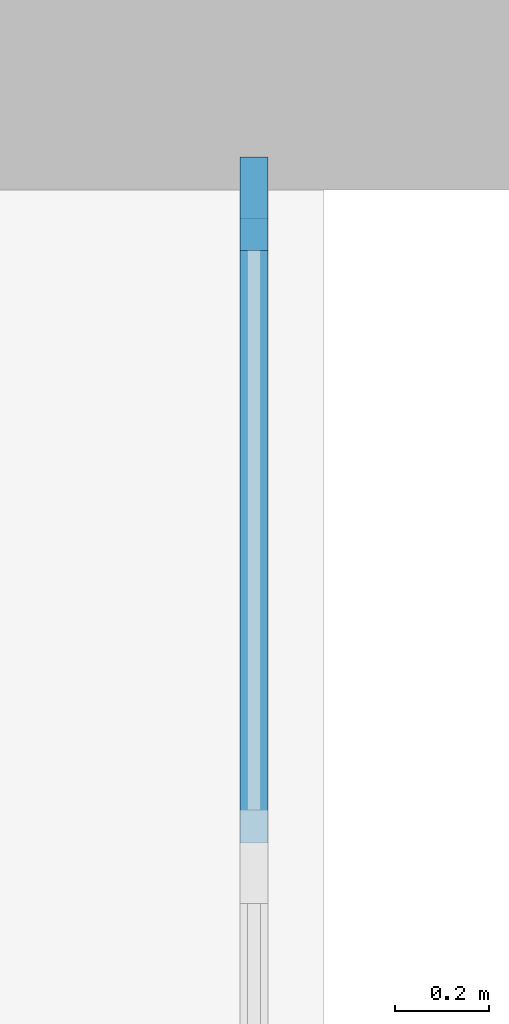
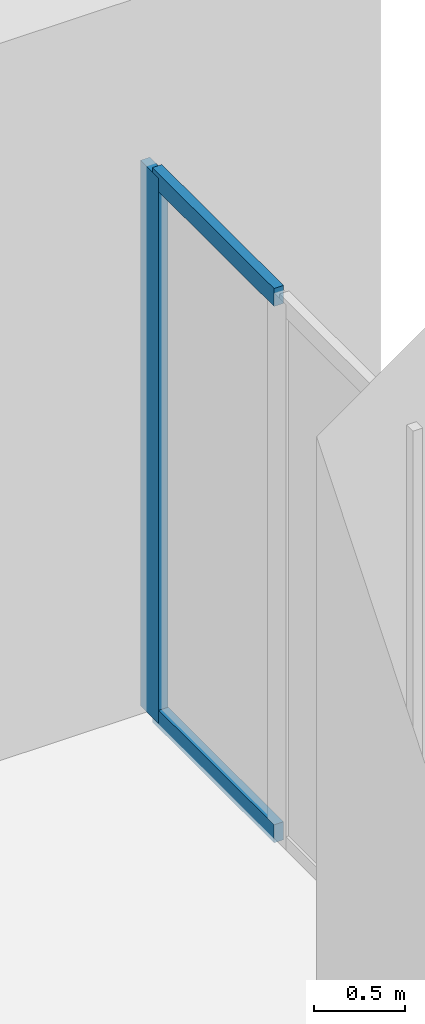
# One storey, part 7 of 31: 3 members, 1 element without a shape of its own.
"""IFC4 building model written with IfcOpenShell, lengths in metres."""

from ifc_helpers import new_model, si_unit, direction, frame, origin, origin_2d, place, context, subcontext, project, spatial, rectangle, extrude, material, material_profile, profile_set, type_object, element, aggregate, save


model = new_model("IFC4")

# Units and contexts
model_context = context("Model", 3, precision=1e-05, world=origin(), true_north=direction((0.0, 1.0)))
body_context = subcontext(model_context, "Body", "Model", "MODEL_VIEW")
ifc_project = project(units=[si_unit("LENGTHUNIT", "METRE"), si_unit("AREAUNIT", "SQUARE_METRE"), si_unit("VOLUMEUNIT", "CUBIC_METRE"), si_unit("PLANEANGLEUNIT", "RADIAN"), si_unit("MASSUNIT", "GRAM", prefix="KILO")], contexts=[model_context])

# Site, building, storey
site_placement = place(None, origin())
site = spatial("IfcSite", under=ifc_project, at=site_placement, CompositionType="ELEMENT")
building_placement = place(site_placement, origin())
building = spatial("IfcBuilding", under=site, at=building_placement, Name="Hunhe Ridgeline Campus", CompositionType="ELEMENT")
storey_placement = place(building_placement, frame((0.0, 0.0, 16.800048828125)))
storey = spatial("IfcBuildingStorey", under=building, at=storey_placement, Name="L03", CompositionType="ELEMENT", Elevation=16.800048828125)

# Curtain wall, members
ifc_material_1 = material(Name="Aluminium and glass", Category="aluminium")
curtain_wall_type = type_object("IfcCurtainWallType", Name="Podium curtain wall CW-2", PredefinedType="NOTDEFINED", material=ifc_material_1)
curtain_wall_placement = place(storey_placement, origin())
curtain_wall = element("IfcCurtainWall", 1, at=curtain_wall_placement, inside=storey, type_object=curtain_wall_type, Name="L03 podium curtain wall 8", PredefinedType="NOTDEFINED")
ifc_material_2 = material(Name="Aluminium", Category="aluminium")
ifc_material_profile_1 = material_profile(ifc_material_2, rectangle(XDim=0.06005859375, YDim=0.199951171875, at=origin_2d()))
ifc_profile_set_1 = profile_set([ifc_material_profile_1], Name="Aluminium")
member_type_1 = type_object("IfcMemberType", Name="CW-2 mullion 60x200", PredefinedType="MULLION", material=ifc_profile_set_1)
member_1_placement = place(storey_placement, frame((98.85009765625, 93.570068359375, 0.0), z_axis=(0.0, 0.0, 1.0), x_axis=(-1.0, 0.0, 0.0)))
member_1 = element("IfcMember", 2, at=member_1_placement, type_object=member_type_1, Name="CW2 mullion 3", PredefinedType="MULLION", context=body_context, shape_type="SweptSolid", body=[
    extrude(rectangle(XDim=0.06005859375, YDim=0.199951171875, at=origin_2d()), origin(), (0.0, 0.0, 1.0), 3.64990234375),
])
ifc_material_profile_2 = material_profile(ifc_material_2, rectangle(XDim=0.06005859375, YDim=0.1201171875, at=origin_2d()))
ifc_profile_set_2 = profile_set([ifc_material_profile_2], Name="Aluminium")
member_type_2 = type_object("IfcMemberType", Name="CW-2 transom 60x120", PredefinedType="USERDEFINED", material=ifc_profile_set_2)
member_2_placement = place(storey_placement, frame((98.85009765625, 92.205078125, 0.030029296875), z_axis=(0.0, 1.0, 0.0), x_axis=(-1.0, 0.0, 0.0)))
member_2 = element("IfcMember", 3, at=member_2_placement, type_object=member_type_2, Name="CW2 transom 2.1", ObjectType="TRANSOM", PredefinedType="USERDEFINED", context=body_context, shape_type="SweptSolid", body=[
    extrude(rectangle(XDim=0.06005859375, YDim=0.1201171875, at=origin_2d()), origin(), (0.0, 0.0, 1.0), 1.3349609375),
])
member_3_placement = place(storey_placement, frame((98.85009765625, 92.205078125, 3.619873046875), z_axis=(0.0, 1.0, 0.0), x_axis=(-1.0, 0.0, 0.0)))
member_3 = element("IfcMember", 4, at=member_3_placement, type_object=member_type_2, Name="CW2 transom 2.2", ObjectType="TRANSOM", PredefinedType="USERDEFINED", context=body_context, shape_type="SweptSolid", body=[
    extrude(rectangle(XDim=0.06005859375, YDim=0.1201171875, at=origin_2d()), origin(), (0.0, 0.0, 1.0), 1.3349609375),
])
aggregate(curtain_wall, [member_1, member_2, member_3])

save(model, "model.ifc")
